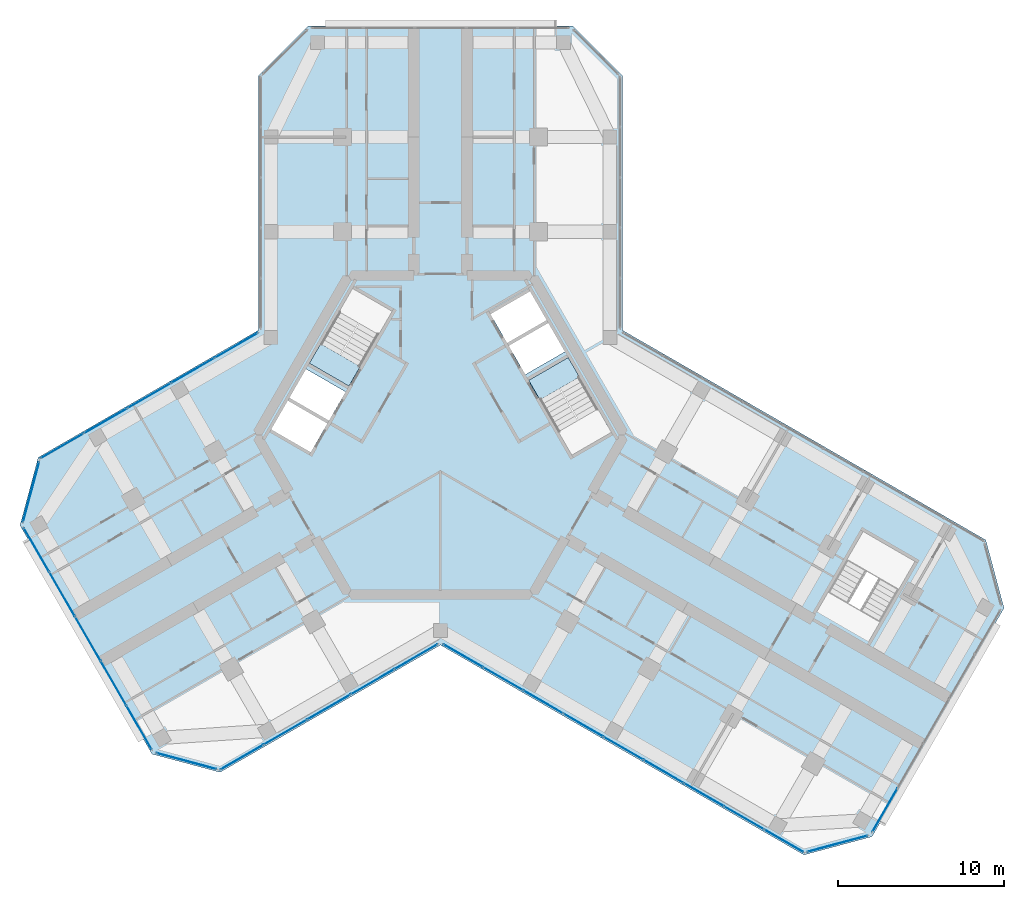
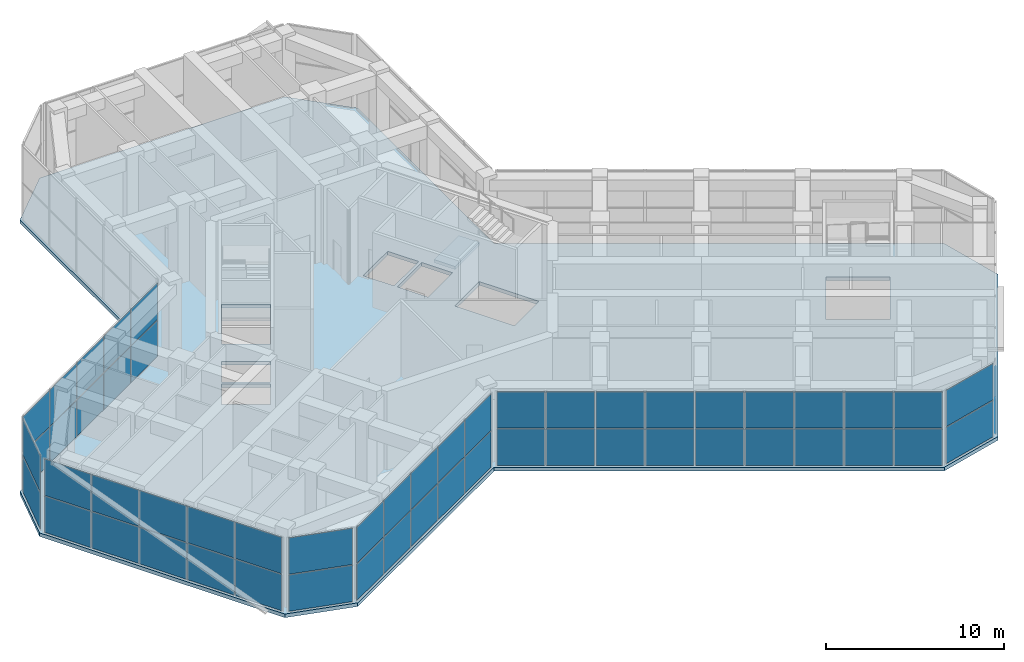
# One storey, part 9 of 16: 55 plates, 3 slabs, 10 elements without a shape of their own.
"""IFC4 building model written with IfcOpenShell, lengths in metres."""

from ifc_helpers import new_model, si_unit, direction, frame, origin, origin_2d, place, context, subcontext, project, spatial, polyline, rectangle, outline, extrude, material, layer, layer_set, type_object, element, aggregate, save


model = new_model("IFC4")

# Units and contexts
model_context = context("Model", 3, precision=1e-05, world=origin(), true_north=direction((0.0, 1.0)))
body_context = subcontext(model_context, "Body", "Model", "MODEL_VIEW")
ifc_project = project(units=[si_unit("LENGTHUNIT", "METRE"), si_unit("AREAUNIT", "SQUARE_METRE"), si_unit("VOLUMEUNIT", "CUBIC_METRE"), si_unit("PLANEANGLEUNIT", "RADIAN"), si_unit("MASSUNIT", "GRAM", prefix="KILO")], contexts=[model_context])

# Site, building, storey
site_placement = place(None, origin())
site = spatial("IfcSite", under=ifc_project, at=site_placement, CompositionType="ELEMENT")
building_placement = place(site_placement, origin())
building = spatial("IfcBuilding", under=site, at=building_placement, Name="Kosmar Iwan School Tower", CompositionType="ELEMENT")
storey_placement = place(building_placement, frame((0.0, 0.0, 226.199951171875)))
storey = spatial("IfcBuildingStorey", under=building, at=storey_placement, Name="L57", CompositionType="ELEMENT", Elevation=226.199951171875)

# Curtain wall, plates
ifc_material_1 = material(Name="Dark glass in black aluminium frame", Category="aluminium")
curtain_wall_type_1 = type_object("IfcCurtainWallType", Name="Chamfer curtain wall dark glass", PredefinedType="USERDEFINED", material=ifc_material_1)
curtain_wall_1_placement = place(storey_placement, origin())
curtain_wall_1 = element("IfcCurtainWall", 1, at=curtain_wall_1_placement, inside=storey, type_object=curtain_wall_type_1, Name="Curtain wall L57-F00", ObjectType="FACETED CURTAIN WALL", PredefinedType="USERDEFINED")
ifc_material_2 = material(Name="Dark glass", Category="glass")
ifc_layer_1 = layer(ifc_material_2, 0.028076171875)
ifc_layer_set_1 = layer_set([ifc_layer_1], Name="Dark glass panel 28")
plate_type = type_object("IfcPlateType", Name="Dark glass panel 28", PredefinedType="CURTAIN_PANEL", material=ifc_layer_set_1)
plate_1_placement = place(storey_placement, frame((23.908203125, -24.61328125, 0.06005859375), z_axis=(0.0, 0.0, 1.0), x_axis=(0.965925875495, 0.258818861462, 0.0)))
plate_1 = element("IfcPlate", 2, at=plate_1_placement, type_object=plate_type, Name="CW2 panel 1.1", PredefinedType="CURTAIN_PANEL", context=body_context, shape_type="SweptSolid", body=[
    extrude(rectangle(XDim=3.718994140625, YDim=0.028076171875, at=origin_2d()), origin(), (0.0, 0.0, 1.0), 2.485107421875),
])
plate_2_placement = place(storey_placement, frame((23.908203125, -24.61328125, 2.60498046875), z_axis=(0.0, 0.0, 1.0), x_axis=(0.965925875495, 0.258818861462, 0.0)))
plate_2 = element("IfcPlate", 3, at=plate_2_placement, type_object=plate_type, Name="CW2 panel 1.2", PredefinedType="CURTAIN_PANEL", context=body_context, shape_type="SweptSolid", body=[
    extrude(rectangle(XDim=3.718994140625, YDim=0.028076171875, at=origin_2d()), origin(), (0.0, 0.0, 1.0), 2.485107421875),
])
aggregate(curtain_wall_1, [plate_1, plate_2])

# Curtain wall, plate
ifc_material_3 = material(Name="Dark glass in black aluminium frame", Category="aluminium")
curtain_wall_type_2 = type_object("IfcCurtainWallType", Name="Tower curtain wall dark glass", PredefinedType="USERDEFINED", material=ifc_material_3)
curtain_wall_2_placement = place(storey_placement, origin())
curtain_wall_2 = element("IfcCurtainWall", 4, at=curtain_wall_2_placement, inside=storey, type_object=curtain_wall_type_2, Name="Curtain wall L57-F01", ObjectType="UNITISED CURTAIN WALL", PredefinedType="USERDEFINED")
plate_3_placement = place(storey_placement, frame((26.764404296875, -22.592529296875, 0.06005859375), z_axis=(0.0, 0.0, 1.0), x_axis=(0.499999997325, 0.866025405329, 0.0)))
plate_3 = element("IfcPlate", 5, at=plate_3_placement, type_object=plate_type, Name="CW1 panel 1.1", PredefinedType="CURTAIN_PANEL", context=body_context, shape_type="SweptSolid", body=[
    extrude(rectangle(XDim=3.00927734375, YDim=0.028076171875, at=origin_2d()), origin(), (0.0, 0.0, 1.0), 2.485107421875),
])
aggregate(curtain_wall_2, [plate_3])

# Curtain wall, plates
ifc_material_4 = material(Name="Dark glass in black aluminium frame", Category="aluminium")
curtain_wall_type_3 = type_object("IfcCurtainWallType", Name="Winter garden curtain wall", PredefinedType="USERDEFINED", material=ifc_material_4)
curtain_wall_3_placement = place(storey_placement, origin())
curtain_wall_3 = element("IfcCurtainWall", 6, at=curtain_wall_3_placement, inside=storey, type_object=curtain_wall_type_3, Name="Curtain wall L57-F09", ObjectType="WINTER GARDEN CURTAIN WALL", PredefinedType="USERDEFINED")
plate_4_placement = place(storey_placement, frame((-12.291259765625, 5.4033203125, 0.06005859375), z_axis=(0.0, 0.0, 1.0), x_axis=(-0.866025385738, -0.500000031258, 0.0)))
plate_4 = element("IfcPlate", 7, at=plate_4_placement, type_object=plate_type, Name="CW7 panel 1.1", PredefinedType="CURTAIN_PANEL", context=body_context, shape_type="SweptSolid", body=[
    extrude(rectangle(XDim=2.94775390625, YDim=0.028076171875, at=origin_2d()), origin(), (0.0, 0.0, 1.0), 2.485107421875),
])
plate_5_placement = place(storey_placement, frame((-12.291259765625, 5.4033203125, 2.60498046875), z_axis=(0.0, 0.0, 1.0), x_axis=(-0.866025385738, -0.500000031258, 0.0)))
plate_5 = element("IfcPlate", 8, at=plate_5_placement, type_object=plate_type, Name="CW7 panel 1.2", PredefinedType="CURTAIN_PANEL", context=body_context, shape_type="SweptSolid", body=[
    extrude(rectangle(XDim=2.94775390625, YDim=0.028076171875, at=origin_2d()), origin(), (0.0, 0.0, 1.0), 2.485107421875),
])
plate_6_placement = place(storey_placement, frame((-14.9091796875, 3.891845703125, 0.06005859375), z_axis=(0.0, 0.0, 1.0), x_axis=(-0.866025385738, -0.500000031258, 0.0)))
plate_6 = element("IfcPlate", 9, at=plate_6_placement, type_object=plate_type, Name="CW7 panel 2.1", PredefinedType="CURTAIN_PANEL", context=body_context, shape_type="SweptSolid", body=[
    extrude(rectangle(XDim=2.977783203125, YDim=0.028076171875, at=origin_2d()), origin(), (0.0, 0.0, 1.0), 2.485107421875),
])
plate_7_placement = place(storey_placement, frame((-14.9091796875, 3.891845703125, 2.60498046875), z_axis=(0.0, 0.0, 1.0), x_axis=(-0.866025385738, -0.500000031258, 0.0)))
plate_7 = element("IfcPlate", 10, at=plate_7_placement, type_object=plate_type, Name="CW7 panel 2.2", PredefinedType="CURTAIN_PANEL", context=body_context, shape_type="SweptSolid", body=[
    extrude(rectangle(XDim=2.977783203125, YDim=0.028076171875, at=origin_2d()), origin(), (0.0, 0.0, 1.0), 2.485107421875),
])
plate_8_placement = place(storey_placement, frame((-17.5400390625, 2.373046875, 0.06005859375), z_axis=(0.0, 0.0, 1.0), x_axis=(-0.866025385738, -0.500000031258, 0.0)))
plate_8 = element("IfcPlate", 11, at=plate_8_placement, type_object=plate_type, Name="CW7 panel 3.1", PredefinedType="CURTAIN_PANEL", context=body_context, shape_type="SweptSolid", body=[
    extrude(rectangle(XDim=2.977783203125, YDim=0.028076171875, at=origin_2d()), origin(), (0.0, 0.0, 1.0), 2.485107421875),
])
plate_9_placement = place(storey_placement, frame((-17.5400390625, 2.373046875, 2.60498046875), z_axis=(0.0, 0.0, 1.0), x_axis=(-0.866025385738, -0.500000031258, 0.0)))
plate_9 = element("IfcPlate", 12, at=plate_9_placement, type_object=plate_type, Name="CW7 panel 3.2", PredefinedType="CURTAIN_PANEL", context=body_context, shape_type="SweptSolid", body=[
    extrude(rectangle(XDim=2.977783203125, YDim=0.028076171875, at=origin_2d()), origin(), (0.0, 0.0, 1.0), 2.485107421875),
])
plate_10_placement = place(storey_placement, frame((-20.1708984375, 0.85400390625, 0.06005859375), z_axis=(0.0, 0.0, 1.0), x_axis=(-0.866025385738, -0.500000031258, 0.0)))
plate_10 = element("IfcPlate", 13, at=plate_10_placement, type_object=plate_type, Name="CW7 panel 4.1", PredefinedType="CURTAIN_PANEL", context=body_context, shape_type="SweptSolid", body=[
    extrude(rectangle(XDim=2.977783203125, YDim=0.028076171875, at=origin_2d()), origin(), (0.0, 0.0, 1.0), 2.485107421875),
])
plate_11_placement = place(storey_placement, frame((-20.1708984375, 0.85400390625, 2.60498046875), z_axis=(0.0, 0.0, 1.0), x_axis=(-0.866025385738, -0.500000031258, 0.0)))
plate_11 = element("IfcPlate", 14, at=plate_11_placement, type_object=plate_type, Name="CW7 panel 4.2", PredefinedType="CURTAIN_PANEL", context=body_context, shape_type="SweptSolid", body=[
    extrude(rectangle(XDim=2.977783203125, YDim=0.028076171875, at=origin_2d()), origin(), (0.0, 0.0, 1.0), 2.485107421875),
])
plate_12_placement = place(storey_placement, frame((-22.78857421875, -0.657470703125, 0.06005859375), z_axis=(0.0, 0.0, 1.0), x_axis=(-0.866025385738, -0.500000031258, 0.0)))
plate_12 = element("IfcPlate", 15, at=plate_12_placement, type_object=plate_type, Name="CW7 panel 5.1", PredefinedType="CURTAIN_PANEL", context=body_context, shape_type="SweptSolid", body=[
    extrude(rectangle(XDim=2.94775390625, YDim=0.028076171875, at=origin_2d()), origin(), (0.0, 0.0, 1.0), 2.485107421875),
])
plate_13_placement = place(storey_placement, frame((-22.78857421875, -0.657470703125, 2.60498046875), z_axis=(0.0, 0.0, 1.0), x_axis=(-0.866025385738, -0.500000031258, 0.0)))
plate_13 = element("IfcPlate", 16, at=plate_13_placement, type_object=plate_type, Name="CW7 panel 5.2", PredefinedType="CURTAIN_PANEL", context=body_context, shape_type="SweptSolid", body=[
    extrude(rectangle(XDim=2.94775390625, YDim=0.028076171875, at=origin_2d()), origin(), (0.0, 0.0, 1.0), 2.485107421875),
])
aggregate(curtain_wall_3, [plate_4, plate_5, plate_6, plate_7, plate_8, plate_9, plate_10, plate_11, plate_12, plate_13])

curtain_wall_4_placement = place(storey_placement, origin())
curtain_wall_4 = element("IfcCurtainWall", 17, at=curtain_wall_4_placement, inside=storey, type_object=curtain_wall_type_1, Name="Curtain wall L57-F10", ObjectType="FACETED CURTAIN WALL", PredefinedType="USERDEFINED")
plate_14_placement = place(storey_placement, frame((-24.65283203125, -3.42333984375, 0.06005859375), z_axis=(0.0, 0.0, 1.0), x_axis=(-0.258818861462, -0.965925875495, 0.0)))
plate_14 = element("IfcPlate", 18, at=plate_14_placement, type_object=plate_type, Name="CW2 panel 1.1", PredefinedType="CURTAIN_PANEL", context=body_context, shape_type="SweptSolid", body=[
    extrude(rectangle(XDim=3.718994140625, YDim=0.028076171875, at=origin_2d()), origin(), (0.0, 0.0, 1.0), 2.485107421875),
])
plate_15_placement = place(storey_placement, frame((-24.65283203125, -3.42333984375, 2.60498046875), z_axis=(0.0, 0.0, 1.0), x_axis=(-0.258818861462, -0.965925875495, 0.0)))
plate_15 = element("IfcPlate", 19, at=plate_15_placement, type_object=plate_type, Name="CW2 panel 1.2", PredefinedType="CURTAIN_PANEL", context=body_context, shape_type="SweptSolid", body=[
    extrude(rectangle(XDim=3.718994140625, YDim=0.028076171875, at=origin_2d()), origin(), (0.0, 0.0, 1.0), 2.485107421875),
])
aggregate(curtain_wall_4, [plate_14, plate_15])

curtain_wall_5_placement = place(storey_placement, origin())
curtain_wall_5 = element("IfcCurtainWall", 20, at=curtain_wall_5_placement, inside=storey, type_object=curtain_wall_type_2, Name="Curtain wall L57-F11", ObjectType="UNITISED CURTAIN WALL", PredefinedType="USERDEFINED")
plate_16_placement = place(storey_placement, frame((-24.3310546875, -6.907470703125, 0.06005859375), z_axis=(0.0, 0.0, 1.0), x_axis=(0.499999997325, -0.866025405329, 0.0)))
plate_16 = element("IfcPlate", 21, at=plate_16_placement, type_object=plate_type, Name="CW1 panel 1.1", PredefinedType="CURTAIN_PANEL", context=body_context, shape_type="SweptSolid", body=[
    extrude(rectangle(XDim=3.00927734375, YDim=0.028076171875, at=origin_2d()), origin(), (0.0, 0.0, 1.0), 2.485107421875),
])
plate_17_placement = place(storey_placement, frame((-24.3310546875, -6.907470703125, 2.60498046875), z_axis=(0.0, 0.0, 1.0), x_axis=(0.499999997325, -0.866025405329, 0.0)))
plate_17 = element("IfcPlate", 22, at=plate_17_placement, type_object=plate_type, Name="CW1 panel 1.2", PredefinedType="CURTAIN_PANEL", context=body_context, shape_type="SweptSolid", body=[
    extrude(rectangle(XDim=3.00927734375, YDim=0.028076171875, at=origin_2d()), origin(), (0.0, 0.0, 1.0), 2.485107421875),
])
plate_18_placement = place(storey_placement, frame((-22.788818359375, -9.578369140625, 0.06005859375), z_axis=(0.0, 0.0, 1.0), x_axis=(0.499999997325, -0.866025405329, 0.0)))
plate_18 = element("IfcPlate", 23, at=plate_18_placement, type_object=plate_type, Name="CW1 panel 2.1", PredefinedType="CURTAIN_PANEL", context=body_context, shape_type="SweptSolid", body=[
    extrude(rectangle(XDim=3.039306640625, YDim=0.028076171875, at=origin_2d()), origin(), (0.0, 0.0, 1.0), 2.485107421875),
])
plate_19_placement = place(storey_placement, frame((-22.788818359375, -9.578369140625, 2.60498046875), z_axis=(0.0, 0.0, 1.0), x_axis=(0.499999997325, -0.866025405329, 0.0)))
plate_19 = element("IfcPlate", 24, at=plate_19_placement, type_object=plate_type, Name="CW1 panel 2.2", PredefinedType="CURTAIN_PANEL", context=body_context, shape_type="SweptSolid", body=[
    extrude(rectangle(XDim=3.039306640625, YDim=0.028076171875, at=origin_2d()), origin(), (0.0, 0.0, 1.0), 2.485107421875),
])
plate_20_placement = place(storey_placement, frame((-21.2392578125, -12.262451171875, 0.06005859375), z_axis=(0.0, 0.0, 1.0), x_axis=(0.499999997325, -0.866025405329, 0.0)))
plate_20 = element("IfcPlate", 25, at=plate_20_placement, type_object=plate_type, Name="CW1 panel 3.1", PredefinedType="CURTAIN_PANEL", context=body_context, shape_type="SweptSolid", body=[
    extrude(rectangle(XDim=3.039306640625, YDim=0.028076171875, at=origin_2d()), origin(), (0.0, 0.0, 1.0), 2.485107421875),
])
plate_21_placement = place(storey_placement, frame((-21.2392578125, -12.262451171875, 2.60498046875), z_axis=(0.0, 0.0, 1.0), x_axis=(0.499999997325, -0.866025405329, 0.0)))
plate_21 = element("IfcPlate", 26, at=plate_21_placement, type_object=plate_type, Name="CW1 panel 3.2", PredefinedType="CURTAIN_PANEL", context=body_context, shape_type="SweptSolid", body=[
    extrude(rectangle(XDim=3.039306640625, YDim=0.028076171875, at=origin_2d()), origin(), (0.0, 0.0, 1.0), 2.485107421875),
])
plate_22_placement = place(storey_placement, frame((-19.689697265625, -14.946533203125, 0.06005859375), z_axis=(0.0, 0.0, 1.0), x_axis=(0.499999997325, -0.866025405329, 0.0)))
plate_22 = element("IfcPlate", 27, at=plate_22_placement, type_object=plate_type, Name="CW1 panel 4.1", PredefinedType="CURTAIN_PANEL", context=body_context, shape_type="SweptSolid", body=[
    extrude(rectangle(XDim=3.039306640625, YDim=0.028076171875, at=origin_2d()), origin(), (0.0, 0.0, 1.0), 2.485107421875),
])
plate_23_placement = place(storey_placement, frame((-19.689697265625, -14.946533203125, 2.60498046875), z_axis=(0.0, 0.0, 1.0), x_axis=(0.499999997325, -0.866025405329, 0.0)))
plate_23 = element("IfcPlate", 28, at=plate_23_placement, type_object=plate_type, Name="CW1 panel 4.2", PredefinedType="CURTAIN_PANEL", context=body_context, shape_type="SweptSolid", body=[
    extrude(rectangle(XDim=3.039306640625, YDim=0.028076171875, at=origin_2d()), origin(), (0.0, 0.0, 1.0), 2.485107421875),
])
plate_24_placement = place(storey_placement, frame((-18.1474609375, -17.61767578125, 0.06005859375), z_axis=(0.0, 0.0, 1.0), x_axis=(0.499999997325, -0.866025405329, 0.0)))
plate_24 = element("IfcPlate", 29, at=plate_24_placement, type_object=plate_type, Name="CW1 panel 5.1", PredefinedType="CURTAIN_PANEL", context=body_context, shape_type="SweptSolid", body=[
    extrude(rectangle(XDim=3.00927734375, YDim=0.028076171875, at=origin_2d()), origin(), (0.0, 0.0, 1.0), 2.485107421875),
])
plate_25_placement = place(storey_placement, frame((-18.1474609375, -17.61767578125, 2.60498046875), z_axis=(0.0, 0.0, 1.0), x_axis=(0.499999997325, -0.866025405329, 0.0)))
plate_25 = element("IfcPlate", 30, at=plate_25_placement, type_object=plate_type, Name="CW1 panel 5.2", PredefinedType="CURTAIN_PANEL", context=body_context, shape_type="SweptSolid", body=[
    extrude(rectangle(XDim=3.00927734375, YDim=0.028076171875, at=origin_2d()), origin(), (0.0, 0.0, 1.0), 2.485107421875),
])
aggregate(curtain_wall_5, [plate_16, plate_17, plate_18, plate_19, plate_20, plate_21, plate_22, plate_23, plate_24, plate_25])

curtain_wall_6_placement = place(storey_placement, origin())
curtain_wall_6 = element("IfcCurtainWall", 31, at=curtain_wall_6_placement, inside=storey, type_object=curtain_wall_type_1, Name="Curtain wall L57-F12", ObjectType="FACETED CURTAIN WALL", PredefinedType="USERDEFINED")
plate_26_placement = place(storey_placement, frame((-15.291015625, -19.63818359375, 0.06005859375), z_axis=(0.0, 0.0, 1.0), x_axis=(0.965925875495, -0.258818861462, 0.0)))
plate_26 = element("IfcPlate", 32, at=plate_26_placement, type_object=plate_type, Name="CW2 panel 1.1", PredefinedType="CURTAIN_PANEL", context=body_context, shape_type="SweptSolid", body=[
    extrude(rectangle(XDim=3.718994140625, YDim=0.028076171875, at=origin_2d()), origin(), (0.0, 0.0, 1.0), 2.485107421875),
])
plate_27_placement = place(storey_placement, frame((-15.291015625, -19.63818359375, 2.60498046875), z_axis=(0.0, 0.0, 1.0), x_axis=(0.965925875495, -0.258818861462, 0.0)))
plate_27 = element("IfcPlate", 33, at=plate_27_placement, type_object=plate_type, Name="CW2 panel 1.2", PredefinedType="CURTAIN_PANEL", context=body_context, shape_type="SweptSolid", body=[
    extrude(rectangle(XDim=3.718994140625, YDim=0.028076171875, at=origin_2d()), origin(), (0.0, 0.0, 1.0), 2.485107421875),
])
aggregate(curtain_wall_6, [plate_26, plate_27])

curtain_wall_7_placement = place(storey_placement, origin())
curtain_wall_7 = element("IfcCurtainWall", 34, at=curtain_wall_7_placement, inside=storey, type_object=curtain_wall_type_3, Name="Curtain wall L57-F13", ObjectType="WINTER GARDEN CURTAIN WALL", PredefinedType="USERDEFINED")
plate_28_placement = place(storey_placement, frame((-1.46630859375, -13.34619140625, 0.06005859375), z_axis=(0.0, 0.0, 1.0), x_axis=(-0.866025414248, -0.499999981877, 0.0)))
plate_28 = element("IfcPlate", 35, at=plate_28_placement, type_object=plate_type, Name="CW7 panel 1.1", PredefinedType="CURTAIN_PANEL", context=body_context, shape_type="SweptSolid", body=[
    extrude(rectangle(XDim=2.94775390625, YDim=0.028076171875, at=origin_2d()), origin(), (0.0, 0.0, 1.0), 2.485107421875),
])
plate_29_placement = place(storey_placement, frame((-1.46630859375, -13.34619140625, 2.60498046875), z_axis=(0.0, 0.0, 1.0), x_axis=(-0.866025414248, -0.499999981877, 0.0)))
plate_29 = element("IfcPlate", 36, at=plate_29_placement, type_object=plate_type, Name="CW7 panel 1.2", PredefinedType="CURTAIN_PANEL", context=body_context, shape_type="SweptSolid", body=[
    extrude(rectangle(XDim=2.94775390625, YDim=0.028076171875, at=origin_2d()), origin(), (0.0, 0.0, 1.0), 2.485107421875),
])
plate_30_placement = place(storey_placement, frame((-4.084228515625, -14.857666015625, 0.06005859375), z_axis=(0.0, 0.0, 1.0), x_axis=(-0.866025414248, -0.499999981877, 0.0)))
plate_30 = element("IfcPlate", 37, at=plate_30_placement, type_object=plate_type, Name="CW7 panel 2.1", PredefinedType="CURTAIN_PANEL", context=body_context, shape_type="SweptSolid", body=[
    extrude(rectangle(XDim=2.977783203125, YDim=0.028076171875, at=origin_2d()), origin(), (0.0, 0.0, 1.0), 2.485107421875),
])
plate_31_placement = place(storey_placement, frame((-4.084228515625, -14.857666015625, 2.60498046875), z_axis=(0.0, 0.0, 1.0), x_axis=(-0.866025414248, -0.499999981877, 0.0)))
plate_31 = element("IfcPlate", 38, at=plate_31_placement, type_object=plate_type, Name="CW7 panel 2.2", PredefinedType="CURTAIN_PANEL", context=body_context, shape_type="SweptSolid", body=[
    extrude(rectangle(XDim=2.977783203125, YDim=0.028076171875, at=origin_2d()), origin(), (0.0, 0.0, 1.0), 2.485107421875),
])
plate_32_placement = place(storey_placement, frame((-6.715087890625, -16.37646484375, 0.06005859375), z_axis=(0.0, 0.0, 1.0), x_axis=(-0.866025414248, -0.499999981877, 0.0)))
plate_32 = element("IfcPlate", 39, at=plate_32_placement, type_object=plate_type, Name="CW7 panel 3.1", PredefinedType="CURTAIN_PANEL", context=body_context, shape_type="SweptSolid", body=[
    extrude(rectangle(XDim=2.977783203125, YDim=0.028076171875, at=origin_2d()), origin(), (0.0, 0.0, 1.0), 2.485107421875),
])
plate_33_placement = place(storey_placement, frame((-6.715087890625, -16.37646484375, 2.60498046875), z_axis=(0.0, 0.0, 1.0), x_axis=(-0.866025414248, -0.499999981877, 0.0)))
plate_33 = element("IfcPlate", 40, at=plate_33_placement, type_object=plate_type, Name="CW7 panel 3.2", PredefinedType="CURTAIN_PANEL", context=body_context, shape_type="SweptSolid", body=[
    extrude(rectangle(XDim=2.977783203125, YDim=0.028076171875, at=origin_2d()), origin(), (0.0, 0.0, 1.0), 2.485107421875),
])
plate_34_placement = place(storey_placement, frame((-9.345947265625, -17.8955078125, 0.06005859375), z_axis=(0.0, 0.0, 1.0), x_axis=(-0.866025414248, -0.499999981877, 0.0)))
plate_34 = element("IfcPlate", 41, at=plate_34_placement, type_object=plate_type, Name="CW7 panel 4.1", PredefinedType="CURTAIN_PANEL", context=body_context, shape_type="SweptSolid", body=[
    extrude(rectangle(XDim=2.977783203125, YDim=0.028076171875, at=origin_2d()), origin(), (0.0, 0.0, 1.0), 2.485107421875),
])
plate_35_placement = place(storey_placement, frame((-9.345947265625, -17.8955078125, 2.60498046875), z_axis=(0.0, 0.0, 1.0), x_axis=(-0.866025414248, -0.499999981877, 0.0)))
plate_35 = element("IfcPlate", 42, at=plate_35_placement, type_object=plate_type, Name="CW7 panel 4.2", PredefinedType="CURTAIN_PANEL", context=body_context, shape_type="SweptSolid", body=[
    extrude(rectangle(XDim=2.977783203125, YDim=0.028076171875, at=origin_2d()), origin(), (0.0, 0.0, 1.0), 2.485107421875),
])
plate_36_placement = place(storey_placement, frame((-11.963623046875, -19.406982421875, 0.06005859375), z_axis=(0.0, 0.0, 1.0), x_axis=(-0.866025414248, -0.499999981877, 0.0)))
plate_36 = element("IfcPlate", 43, at=plate_36_placement, type_object=plate_type, Name="CW7 panel 5.1", PredefinedType="CURTAIN_PANEL", context=body_context, shape_type="SweptSolid", body=[
    extrude(rectangle(XDim=2.94775390625, YDim=0.028076171875, at=origin_2d()), origin(), (0.0, 0.0, 1.0), 2.485107421875),
])
plate_37_placement = place(storey_placement, frame((-11.963623046875, -19.406982421875, 2.60498046875), z_axis=(0.0, 0.0, 1.0), x_axis=(-0.866025414248, -0.499999981877, 0.0)))
plate_37 = element("IfcPlate", 44, at=plate_37_placement, type_object=plate_type, Name="CW7 panel 5.2", PredefinedType="CURTAIN_PANEL", context=body_context, shape_type="SweptSolid", body=[
    extrude(rectangle(XDim=2.94775390625, YDim=0.028076171875, at=origin_2d()), origin(), (0.0, 0.0, 1.0), 2.485107421875),
])
aggregate(curtain_wall_7, [plate_28, plate_29, plate_30, plate_31, plate_32, plate_33, plate_34, plate_35, plate_36, plate_37])

curtain_wall_8_placement = place(storey_placement, origin())
curtain_wall_8 = element("IfcCurtainWall", 45, at=curtain_wall_8_placement, inside=storey, type_object=curtain_wall_type_3, Name="Curtain wall L57-F14", ObjectType="WINTER GARDEN CURTAIN WALL", PredefinedType="USERDEFINED")
plate_38_placement = place(storey_placement, frame((1.3603515625, -13.284912109375, 0.06005859375), z_axis=(0.0, 0.0, 1.0), x_axis=(0.866025395189, -0.500000014888, 0.0)))
plate_38 = element("IfcPlate", 46, at=plate_38_placement, type_object=plate_type, Name="CW7 panel 1.1", PredefinedType="CURTAIN_PANEL", context=body_context, shape_type="SweptSolid", body=[
    extrude(rectangle(XDim=2.703369140625, YDim=0.028076171875, at=origin_2d()), origin(), (0.0, 0.0, 1.0), 2.485107421875),
])
plate_39_placement = place(storey_placement, frame((1.3603515625, -13.284912109375, 2.60498046875), z_axis=(0.0, 0.0, 1.0), x_axis=(0.866025395189, -0.500000014888, 0.0)))
plate_39 = element("IfcPlate", 47, at=plate_39_placement, type_object=plate_type, Name="CW7 panel 1.2", PredefinedType="CURTAIN_PANEL", context=body_context, shape_type="SweptSolid", body=[
    extrude(rectangle(XDim=2.703369140625, YDim=0.028076171875, at=origin_2d()), origin(), (0.0, 0.0, 1.0), 2.485107421875),
])
plate_40_placement = place(storey_placement, frame((3.766357421875, -14.674072265625, 0.06005859375), z_axis=(0.0, 0.0, 1.0), x_axis=(0.866025395189, -0.500000014888, 0.0)))
plate_40 = element("IfcPlate", 48, at=plate_40_placement, type_object=plate_type, Name="CW7 panel 2.1", PredefinedType="CURTAIN_PANEL", context=body_context, shape_type="SweptSolid", body=[
    extrude(rectangle(XDim=2.733154296875, YDim=0.028076171875, at=origin_2d()), origin(), (0.0, 0.0, 1.0), 2.485107421875),
])
plate_41_placement = place(storey_placement, frame((3.766357421875, -14.674072265625, 2.60498046875), z_axis=(0.0, 0.0, 1.0), x_axis=(0.866025395189, -0.500000014888, 0.0)))
plate_41 = element("IfcPlate", 49, at=plate_41_placement, type_object=plate_type, Name="CW7 panel 2.2", PredefinedType="CURTAIN_PANEL", context=body_context, shape_type="SweptSolid", body=[
    extrude(rectangle(XDim=2.733154296875, YDim=0.028076171875, at=origin_2d()), origin(), (0.0, 0.0, 1.0), 2.485107421875),
])
plate_42_placement = place(storey_placement, frame((6.185302734375, -16.07080078125, 0.06005859375), z_axis=(0.0, 0.0, 1.0), x_axis=(0.866025395189, -0.500000014888, 0.0)))
plate_42 = element("IfcPlate", 50, at=plate_42_placement, type_object=plate_type, Name="CW7 panel 3.1", PredefinedType="CURTAIN_PANEL", context=body_context, shape_type="SweptSolid", body=[
    extrude(rectangle(XDim=2.733154296875, YDim=0.028076171875, at=origin_2d()), origin(), (0.0, 0.0, 1.0), 2.485107421875),
])
plate_43_placement = place(storey_placement, frame((6.185302734375, -16.07080078125, 2.60498046875), z_axis=(0.0, 0.0, 1.0), x_axis=(0.866025395189, -0.500000014888, 0.0)))
plate_43 = element("IfcPlate", 51, at=plate_43_placement, type_object=plate_type, Name="CW7 panel 3.2", PredefinedType="CURTAIN_PANEL", context=body_context, shape_type="SweptSolid", body=[
    extrude(rectangle(XDim=2.733154296875, YDim=0.028076171875, at=origin_2d()), origin(), (0.0, 0.0, 1.0), 2.485107421875),
])
plate_44_placement = place(storey_placement, frame((8.6044921875, -17.46728515625, 0.06005859375), z_axis=(0.0, 0.0, 1.0), x_axis=(0.866025395189, -0.500000014888, 0.0)))
plate_44 = element("IfcPlate", 52, at=plate_44_placement, type_object=plate_type, Name="CW7 panel 4.1", PredefinedType="CURTAIN_PANEL", context=body_context, shape_type="SweptSolid", body=[
    extrude(rectangle(XDim=2.733154296875, YDim=0.028076171875, at=origin_2d()), origin(), (0.0, 0.0, 1.0), 2.485107421875),
])
plate_45_placement = place(storey_placement, frame((8.6044921875, -17.46728515625, 2.60498046875), z_axis=(0.0, 0.0, 1.0), x_axis=(0.866025395189, -0.500000014888, 0.0)))
plate_45 = element("IfcPlate", 53, at=plate_45_placement, type_object=plate_type, Name="CW7 panel 4.2", PredefinedType="CURTAIN_PANEL", context=body_context, shape_type="SweptSolid", body=[
    extrude(rectangle(XDim=2.733154296875, YDim=0.028076171875, at=origin_2d()), origin(), (0.0, 0.0, 1.0), 2.485107421875),
])
plate_46_placement = place(storey_placement, frame((11.0234375, -18.864013671875, 0.06005859375), z_axis=(0.0, 0.0, 1.0), x_axis=(0.866025395189, -0.500000014888, 0.0)))
plate_46 = element("IfcPlate", 54, at=plate_46_placement, type_object=plate_type, Name="CW7 panel 5.1", PredefinedType="CURTAIN_PANEL", context=body_context, shape_type="SweptSolid", body=[
    extrude(rectangle(XDim=2.733154296875, YDim=0.028076171875, at=origin_2d()), origin(), (0.0, 0.0, 1.0), 2.485107421875),
])
plate_47_placement = place(storey_placement, frame((11.0234375, -18.864013671875, 2.60498046875), z_axis=(0.0, 0.0, 1.0), x_axis=(0.866025395189, -0.500000014888, 0.0)))
plate_47 = element("IfcPlate", 55, at=plate_47_placement, type_object=plate_type, Name="CW7 panel 5.2", PredefinedType="CURTAIN_PANEL", context=body_context, shape_type="SweptSolid", body=[
    extrude(rectangle(XDim=2.733154296875, YDim=0.028076171875, at=origin_2d()), origin(), (0.0, 0.0, 1.0), 2.485107421875),
])
plate_48_placement = place(storey_placement, frame((13.4423828125, -20.2607421875, 0.06005859375), z_axis=(0.0, 0.0, 1.0), x_axis=(0.866025395189, -0.500000014888, 0.0)))
plate_48 = element("IfcPlate", 56, at=plate_48_placement, type_object=plate_type, Name="CW7 panel 6.1", PredefinedType="CURTAIN_PANEL", context=body_context, shape_type="SweptSolid", body=[
    extrude(rectangle(XDim=2.733154296875, YDim=0.028076171875, at=origin_2d()), origin(), (0.0, 0.0, 1.0), 2.485107421875),
])
plate_49_placement = place(storey_placement, frame((13.4423828125, -20.2607421875, 2.60498046875), z_axis=(0.0, 0.0, 1.0), x_axis=(0.866025395189, -0.500000014888, 0.0)))
plate_49 = element("IfcPlate", 57, at=plate_49_placement, type_object=plate_type, Name="CW7 panel 6.2", PredefinedType="CURTAIN_PANEL", context=body_context, shape_type="SweptSolid", body=[
    extrude(rectangle(XDim=2.733154296875, YDim=0.028076171875, at=origin_2d()), origin(), (0.0, 0.0, 1.0), 2.485107421875),
])
plate_50_placement = place(storey_placement, frame((15.861572265625, -21.6572265625, 0.06005859375), z_axis=(0.0, 0.0, 1.0), x_axis=(0.866025395189, -0.500000014888, 0.0)))
plate_50 = element("IfcPlate", 58, at=plate_50_placement, type_object=plate_type, Name="CW7 panel 7.1", PredefinedType="CURTAIN_PANEL", context=body_context, shape_type="SweptSolid", body=[
    extrude(rectangle(XDim=2.733154296875, YDim=0.028076171875, at=origin_2d()), origin(), (0.0, 0.0, 1.0), 2.485107421875),
])
plate_51_placement = place(storey_placement, frame((15.861572265625, -21.6572265625, 2.60498046875), z_axis=(0.0, 0.0, 1.0), x_axis=(0.866025395189, -0.500000014888, 0.0)))
plate_51 = element("IfcPlate", 59, at=plate_51_placement, type_object=plate_type, Name="CW7 panel 7.2", PredefinedType="CURTAIN_PANEL", context=body_context, shape_type="SweptSolid", body=[
    extrude(rectangle(XDim=2.733154296875, YDim=0.028076171875, at=origin_2d()), origin(), (0.0, 0.0, 1.0), 2.485107421875),
])
plate_52_placement = place(storey_placement, frame((18.280517578125, -23.053955078125, 0.06005859375), z_axis=(0.0, 0.0, 1.0), x_axis=(0.866025395189, -0.500000014888, 0.0)))
plate_52 = element("IfcPlate", 60, at=plate_52_placement, type_object=plate_type, Name="CW7 panel 8.1", PredefinedType="CURTAIN_PANEL", context=body_context, shape_type="SweptSolid", body=[
    extrude(rectangle(XDim=2.733154296875, YDim=0.028076171875, at=origin_2d()), origin(), (0.0, 0.0, 1.0), 2.485107421875),
])
plate_53_placement = place(storey_placement, frame((18.280517578125, -23.053955078125, 2.60498046875), z_axis=(0.0, 0.0, 1.0), x_axis=(0.866025395189, -0.500000014888, 0.0)))
plate_53 = element("IfcPlate", 61, at=plate_53_placement, type_object=plate_type, Name="CW7 panel 8.2", PredefinedType="CURTAIN_PANEL", context=body_context, shape_type="SweptSolid", body=[
    extrude(rectangle(XDim=2.733154296875, YDim=0.028076171875, at=origin_2d()), origin(), (0.0, 0.0, 1.0), 2.485107421875),
])
plate_54_placement = place(storey_placement, frame((20.6865234375, -24.443115234375, 0.06005859375), z_axis=(0.0, 0.0, 1.0), x_axis=(0.866025395189, -0.500000014888, 0.0)))
plate_54 = element("IfcPlate", 62, at=plate_54_placement, type_object=plate_type, Name="CW7 panel 9.1", PredefinedType="CURTAIN_PANEL", context=body_context, shape_type="SweptSolid", body=[
    extrude(rectangle(XDim=2.703369140625, YDim=0.028076171875, at=origin_2d()), origin(), (0.0, 0.0, 1.0), 2.485107421875),
])
plate_55_placement = place(storey_placement, frame((20.6865234375, -24.443115234375, 2.60498046875), z_axis=(0.0, 0.0, 1.0), x_axis=(0.866025395189, -0.500000014888, 0.0)))
plate_55 = element("IfcPlate", 63, at=plate_55_placement, type_object=plate_type, Name="CW7 panel 9.2", PredefinedType="CURTAIN_PANEL", context=body_context, shape_type="SweptSolid", body=[
    extrude(rectangle(XDim=2.703369140625, YDim=0.028076171875, at=origin_2d()), origin(), (0.0, 0.0, 1.0), 2.485107421875),
])
aggregate(curtain_wall_8, [plate_38, plate_39, plate_40, plate_41, plate_42, plate_43, plate_44, plate_45, plate_46, plate_47, plate_48, plate_49, plate_50, plate_51, plate_52, plate_53, plate_54, plate_55])

# Slab
ifc_material_5 = material(Name="Concrete C35/45", Category="concrete")
ifc_layer_2 = layer(ifc_material_5, 0.25)
ifc_layer_set_2 = layer_set([ifc_layer_2], Name="Floor slab 250")
slab_type_1 = type_object("IfcSlabType", Name="Floor slab 250", PredefinedType="FLOOR", material=ifc_layer_set_2)
slab_1_placement = place(storey_placement, frame((0.0, 0.0, -0.25)))
element("IfcSlab", 64, at=slab_1_placement, inside=storey, type_object=slab_type_1, Name="L57 floor slab", PredefinedType="FLOOR", context=body_context, shape_type="SweptSolid", body=[
    extrude(outline(polyline([(21.891357421875, -25.282958984375), (25.989501953125, -24.184814453125), (33.939453125, -10.4150390625), (32.84130859375, -6.317138671875), (10.949951171875, 6.322021484375), (10.949951171875, 21.64990234375), (7.949951171875, 24.64990234375), (-7.949951171875, 24.64990234375), (-10.949951171875, 21.64990234375), (-10.949951171875, 6.322021484375), (-24.224365234375, -1.342041015625), (-25.322509765625, -5.440185546875), (-17.37255859375, -19.2099609375), (-13.2744140625, -20.307861328125), (0.0, -12.64404296875), (21.891357421875, -25.282958984375)]), holes=[polyline([(7.91259765625, -1.205078125), (10.294189453125, 0.169921875), (8.3642578125, 3.5126953125), (5.982666015625, 2.1376953125), (7.91259765625, -1.205078125)]), polyline([(-2.91259765625, 7.455078125), (-5.294189453125, 8.830078125), (-7.22412109375, 5.4873046875), (-4.8427734375, 4.1123046875), (-2.91259765625, 7.455078125)]), polyline([(-5.712646484375, 2.60546875), (-8.09423828125, 3.98046875), (-9.09423828125, 2.248291015625), (-6.712646484375, 0.873291015625), (-5.712646484375, 2.60546875)]), polyline([(-6.812744140625, 0.7001953125), (-9.1943359375, 2.0751953125), (-10.1943359375, 0.343017578125), (-7.812744140625, -1.031982421875), (-6.812744140625, 0.7001953125)]), polyline([(5.112548828125, 3.64453125), (7.494140625, 5.01953125), (6.494140625, 6.751708984375), (4.112548828125, 5.376708984375), (5.112548828125, 3.64453125)]), polyline([(4.0126953125, 5.5498046875), (6.394287109375, 6.9248046875), (5.394287109375, 8.656982421875), (3.0126953125, 7.281982421875), (4.0126953125, 5.5498046875)]), polyline([(23.367431640625, -9.426513671875), (26.485107421875, -11.2265625), (28.574951171875, -7.606689453125), (25.457275390625, -5.806640625), (23.367431640625, -9.426513671875)])]), origin(), (0.0, 0.0, 1.0), 0.25),
])

# Stair, slab
ifc_material_6 = material(Name="Concrete C35/45", Category="concrete")
stair_type = type_object("IfcStairType", Name="Core stair 2750", PredefinedType="HALF_TURN_STAIR", material=ifc_material_6)
stair_1_placement = place(storey_placement, origin())
stair_1 = element("IfcStair", 65, at=stair_1_placement, inside=storey, type_object=stair_type, Name="Stair ST2 L57", PredefinedType="HALF_TURN_STAIR")
ifc_material_7 = material(Name="Concrete C35/45", Category="concrete")
ifc_layer_3 = layer(ifc_material_7, 0.199951171875)
ifc_layer_set_3 = layer_set([ifc_layer_3], Name="Stair landing 200")
slab_type_2 = type_object("IfcSlabType", Name="Stair landing 200", PredefinedType="LANDING", material=ifc_layer_set_3)
slab_2_placement = place(storey_placement, frame((0.0, 0.0, 2.5)))
slab_2 = element("IfcSlab", 66, at=slab_2_placement, type_object=slab_type_2, Name="ST2 landing 2", PredefinedType="LANDING", context=body_context, shape_type="SweptSolid", body=[
    extrude(outline(polyline([(-4.832763671875, 4.129638671875), (-7.214111328125, 5.504638671875), (-7.894287109375, 4.326904296875), (-5.5126953125, 2.951904296875), (-4.832763671875, 4.129638671875)])), origin(), (0.0, 0.0, 1.0), 0.199951171875),
])
aggregate(stair_1, [slab_2])

stair_2_placement = place(storey_placement, origin())
stair_2 = element("IfcStair", 67, at=stair_2_placement, inside=storey, type_object=stair_type, Name="Stair ST1 L57", PredefinedType="HALF_TURN_STAIR")
slab_3_placement = place(storey_placement, frame((0.0, 0.0, 2.5)))
slab_3 = element("IfcSlab", 68, at=slab_3_placement, type_object=slab_type_2, Name="ST1 landing 2", PredefinedType="LANDING", context=body_context, shape_type="SweptSolid", body=[
    extrude(outline(polyline([(5.99267578125, 2.120361328125), (8.374267578125, 3.495361328125), (7.6943359375, 4.673095703125), (5.312744140625, 3.298095703125), (5.99267578125, 2.120361328125)])), origin(), (0.0, 0.0, 1.0), 0.199951171875),
])
aggregate(stair_2, [slab_3])

save(model, "model.ifc")
